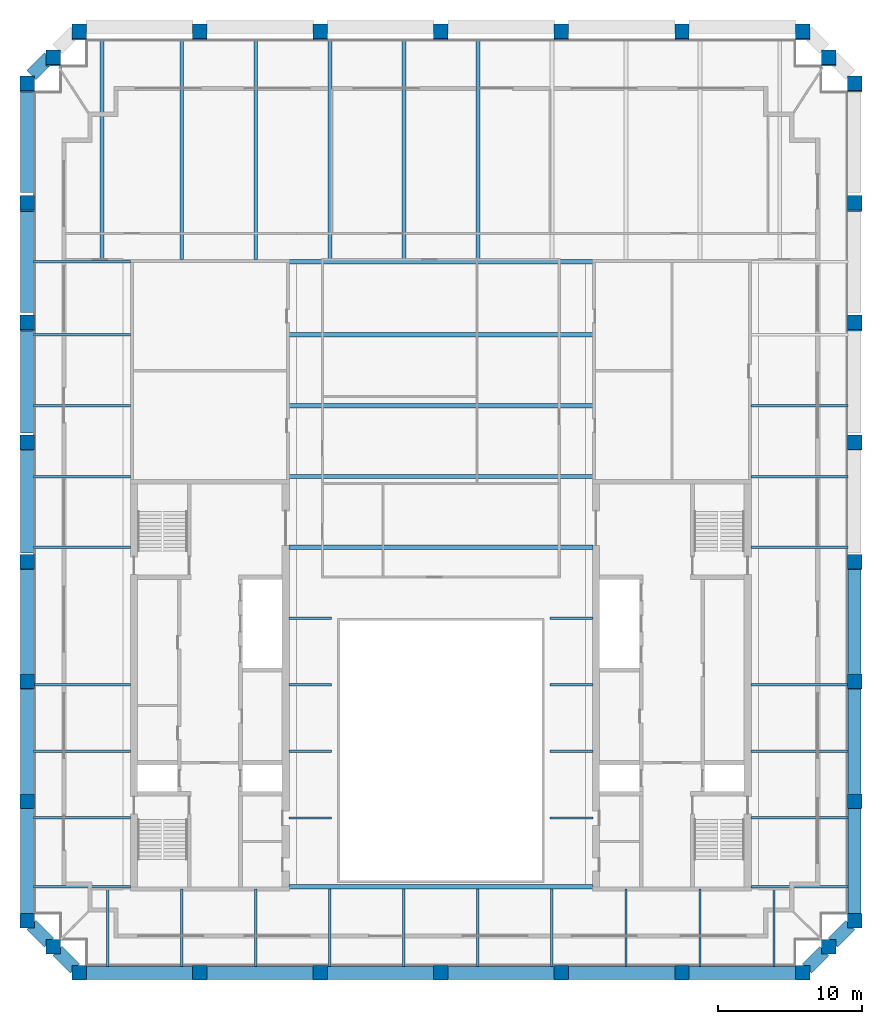
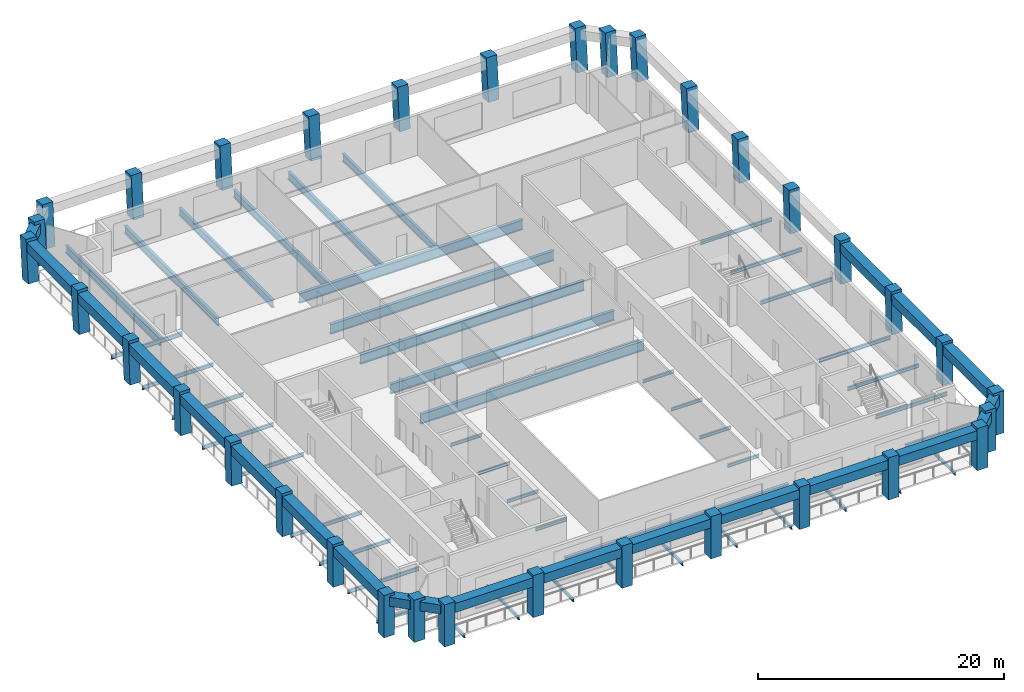
# One storey, part 1 of 8: 67 beams, 34 columns.
"""IFC4 building model written with IfcOpenShell, lengths in metres."""

from ifc_helpers import new_model, si_unit, direction, frame, origin, origin_2d, place, context, subcontext, project, spatial, rectangle, i_section, extrude, material, material_profile, profile_set, type_object, element, save


model = new_model("IFC4")

# Units and contexts
model_context = context("Model", 3, precision=1e-05, world=origin(), true_north=direction((0.0, 1.0)))
body_context = subcontext(model_context, "Body", "Model", "MODEL_VIEW")
ifc_project = project(units=[si_unit("LENGTHUNIT", "METRE"), si_unit("AREAUNIT", "SQUARE_METRE"), si_unit("VOLUMEUNIT", "CUBIC_METRE"), si_unit("PLANEANGLEUNIT", "RADIAN"), si_unit("MASSUNIT", "GRAM", prefix="KILO")], contexts=[model_context])

# Site, building, storey
site_placement = place(None, origin())
site = spatial("IfcSite", under=ifc_project, at=site_placement, CompositionType="ELEMENT")
building_placement = place(site_placement, origin())
building = spatial("IfcBuilding", under=site, at=building_placement, Name="Ogive Exchange Tower", CompositionType="ELEMENT")
storey_placement = place(building_placement, frame((0.0, 0.0, 317.39990234375)))
storey = spatial("IfcBuildingStorey", under=building, at=storey_placement, Name="L69", CompositionType="ELEMENT", Elevation=317.39990234375)

# Columns
ifc_material_1 = material(Name="Precast concrete C70/85 (limestone faced)", Category="masonry")
ifc_material_profile_1 = material_profile(ifc_material_1, rectangle(XDim=1.0, YDim=1.0, at=origin_2d()), Name="1000 x 1000")
ifc_profile_set_1 = profile_set([ifc_material_profile_1], Name="Precast concrete C70/85 (limestone faced)")
column_type = type_object("IfcColumnType", Name="Precast exoskeleton leg 1000 x 1000 C70/85", PredefinedType="COLUMN", material=ifc_profile_set_1)
for number, where, z_axis, x_axis, name in (
    (1, (-25.050048828125, -8.39990234375, 0.0), (0.0, 0.0, 1.0), (1.0, 0.0, 0.0), "Exoskeleton leg 1"),
    (2, (-16.699951171875, -8.39990234375, 0.0), (0.0, 0.0, 1.0), (1.0, 0.0, 0.0), "Exoskeleton leg 2"),
    (3, (-8.35009765625, -8.39990234375, 0.0), (0.0, 0.0, 1.0), (1.0, 0.0, 0.0), "Exoskeleton leg 3"),
    (4, (0.0, -8.39990234375, 0.0), (0.0, 0.0, 1.0), (1.0, 0.0, 0.0), "Exoskeleton leg 4"),
    (5, (8.35009765625, -8.39990234375, 0.0), (0.0, 0.0, 1.0), (1.0, 0.0, 0.0), "Exoskeleton leg 5"),
    (6, (16.699951171875, -8.39990234375, 0.0), (0.0, 0.0, 1.0), (1.0, 0.0, 0.0), "Exoskeleton leg 6"),
    (7, (25.050048828125, -8.39990234375, 0.0), (0.0, 0.0, 1.0), (1.0, 0.0, 0.0), "Exoskeleton leg 7"),
    (8, (28.64990234375, -4.800048828125, 0.0), (0.0, 0.0, 1.0), (1.0, 0.0, 0.0), "Exoskeleton leg 8"),
):
    element("IfcColumn", number, at=place(storey_placement, frame(where, z_axis=z_axis, x_axis=x_axis)), inside=storey, type_object=column_type, Name=name, PredefinedType="COLUMN", context=body_context, shape_type="SweptSolid", body=[
        extrude(rectangle(XDim=1.0, YDim=1.0, at=origin_2d()), origin(), (0.0, 0.0, 1.0), 4.2001953125),
    ])
column_1_placement = place(storey_placement, frame((28.64990234375, 3.47265625, 0.0), z_axis=(0.0, 0.013019124359, 0.999915247609), x_axis=(-1.0, 0.0, 0.0)))
element("IfcColumn", 9, at=column_1_placement, inside=storey, type_object=column_type, Name="Exoskeleton leg 9", PredefinedType="COLUMN", context=body_context, shape_type="SweptSolid", body=[
    extrude(rectangle(XDim=1.0, YDim=1.0, at=origin_2d()), origin(), (0.0, 0.0, 1.0), 4.200439453125),
])
column_2_placement = place(storey_placement, frame((28.64990234375, 11.74560546875, 0.0), z_axis=(0.0, 0.025915496696, 0.999664137114), x_axis=(-1.0, 0.0, 0.0)))
element("IfcColumn", 10, at=column_2_placement, inside=storey, type_object=column_type, Name="Exoskeleton leg 10", PredefinedType="COLUMN", context=body_context, shape_type="SweptSolid", body=[
    extrude(rectangle(XDim=1.0, YDim=1.0, at=origin_2d()), origin(), (0.0, 0.0, 1.0), 4.20166015625),
])
column_3_placement = place(storey_placement, frame((28.64990234375, 20.018310546875, 0.0), z_axis=(0.0, 0.038914932178, 0.999242527144), x_axis=(-1.0, 0.0, 0.0)))
element("IfcColumn", 11, at=column_3_placement, inside=storey, type_object=column_type, Name="Exoskeleton leg 11", PredefinedType="COLUMN", context=body_context, shape_type="SweptSolid", body=[
    extrude(rectangle(XDim=1.0, YDim=1.0, at=origin_2d()), origin(), (0.0, 0.0, 1.0), 4.203369140625),
])
column_4_placement = place(storey_placement, frame((28.64990234375, 28.291015625, 0.0), z_axis=(0.0, 0.051836748767, 0.998655571995), x_axis=(-1.0, 0.0, 0.0)))
element("IfcColumn", 12, at=column_4_placement, inside=storey, type_object=column_type, Name="Exoskeleton leg 12", PredefinedType="COLUMN", context=body_context, shape_type="SweptSolid", body=[
    extrude(rectangle(XDim=1.0, YDim=1.0, at=origin_2d()), origin(), (0.0, 0.0, 1.0), 4.205810546875),
])
column_5_placement = place(storey_placement, frame((28.64990234375, 36.563720703125, 0.0), z_axis=(0.0, 0.064790343495, 0.997898898381), x_axis=(-1.0, 0.0, 0.0)))
element("IfcColumn", 13, at=column_5_placement, inside=storey, type_object=column_type, Name="Exoskeleton leg 13", PredefinedType="COLUMN", context=body_context, shape_type="SweptSolid", body=[
    extrude(rectangle(XDim=1.0, YDim=1.0, at=origin_2d()), origin(), (0.0, 0.0, 1.0), 4.208984375),
])
column_6_placement = place(storey_placement, frame((28.64990234375, 44.83642578125, 0.0), z_axis=(0.0, 0.077653669439, 0.996980394804), x_axis=(-1.0, 0.0, 0.0)))
element("IfcColumn", 14, at=column_6_placement, inside=storey, type_object=column_type, Name="Exoskeleton leg 14", PredefinedType="COLUMN", context=body_context, shape_type="SweptSolid", body=[
    extrude(rectangle(XDim=1.0, YDim=1.0, at=origin_2d()), origin(), (0.0, 0.0, 1.0), 4.212890625),
])
for number, where, z_axis, x_axis, name in (
    (15, (28.64990234375, 53.109130859375, 0.0), (0.0, 0.090535746043, 0.995893206468), (-1.0, 0.0, 0.0), "Exoskeleton leg 15"),
    (16, (25.050048828125, 56.708984375, 0.0), (0.0, 0.090535746043, 0.995893206468), (-1.0, 0.0, 0.0), "Exoskeleton leg 16"),
    (17, (16.699951171875, 56.708984375, 0.0), (0.0, 0.090535746043, 0.995893206468), (-1.0, 0.0, 0.0), "Exoskeleton leg 17"),
    (18, (8.35009765625, 56.708984375, 0.0), (0.0, 0.090535746043, 0.995893206468), (-1.0, 0.0, 0.0), "Exoskeleton leg 18"),
    (19, (0.0, 56.708984375, 0.0), (0.0, 0.090535746043, 0.995893206468), (-1.0, 0.0, 0.0), "Exoskeleton leg 19"),
    (20, (-8.35009765625, 56.708984375, 0.0), (0.0, 0.090535746043, 0.995893206468), (-1.0, 0.0, 0.0), "Exoskeleton leg 20"),
    (21, (-16.699951171875, 56.708984375, 0.0), (0.0, 0.090535746043, 0.995893206468), (-1.0, 0.0, 0.0), "Exoskeleton leg 21"),
    (22, (-25.050048828125, 56.708984375, 0.0), (0.0, 0.090535746043, 0.995893206468), (-1.0, 0.0, 0.0), "Exoskeleton leg 22"),
    (23, (-28.64990234375, 53.109130859375, 0.0), (0.0, 0.090535746043, 0.995893206468), (-1.0, 0.0, 0.0), "Exoskeleton leg 23"),
):
    element("IfcColumn", number, at=place(storey_placement, frame(where, z_axis=z_axis, x_axis=x_axis)), inside=storey, type_object=column_type, Name=name, PredefinedType="COLUMN", context=body_context, shape_type="SweptSolid", body=[
        extrude(rectangle(XDim=1.0, YDim=1.0, at=origin_2d()), origin(), (0.0, 0.0, 1.0), 4.217529296875),
    ])
column_7_placement = place(storey_placement, frame((-28.64990234375, 44.83642578125, 0.0), z_axis=(0.0, 0.077653669439, 0.996980394804), x_axis=(-1.0, 0.0, 0.0)))
element("IfcColumn", 24, at=column_7_placement, inside=storey, type_object=column_type, Name="Exoskeleton leg 24", PredefinedType="COLUMN", context=body_context, shape_type="SweptSolid", body=[
    extrude(rectangle(XDim=1.0, YDim=1.0, at=origin_2d()), origin(), (0.0, 0.0, 1.0), 4.212890625),
])
column_8_placement = place(storey_placement, frame((-28.64990234375, 36.563720703125, 0.0), z_axis=(0.0, 0.064790343495, 0.997898898381), x_axis=(-1.0, 0.0, 0.0)))
element("IfcColumn", 25, at=column_8_placement, inside=storey, type_object=column_type, Name="Exoskeleton leg 25", PredefinedType="COLUMN", context=body_context, shape_type="SweptSolid", body=[
    extrude(rectangle(XDim=1.0, YDim=1.0, at=origin_2d()), origin(), (0.0, 0.0, 1.0), 4.208984375),
])
column_9_placement = place(storey_placement, frame((-28.64990234375, 28.291015625, 0.0), z_axis=(0.0, 0.051836748767, 0.998655571995), x_axis=(-1.0, 0.0, 0.0)))
element("IfcColumn", 26, at=column_9_placement, inside=storey, type_object=column_type, Name="Exoskeleton leg 26", PredefinedType="COLUMN", context=body_context, shape_type="SweptSolid", body=[
    extrude(rectangle(XDim=1.0, YDim=1.0, at=origin_2d()), origin(), (0.0, 0.0, 1.0), 4.205810546875),
])
column_10_placement = place(storey_placement, frame((-28.64990234375, 20.018310546875, 0.0), z_axis=(0.0, 0.038914932178, 0.999242527144), x_axis=(-1.0, 0.0, 0.0)))
element("IfcColumn", 27, at=column_10_placement, inside=storey, type_object=column_type, Name="Exoskeleton leg 27", PredefinedType="COLUMN", context=body_context, shape_type="SweptSolid", body=[
    extrude(rectangle(XDim=1.0, YDim=1.0, at=origin_2d()), origin(), (0.0, 0.0, 1.0), 4.203369140625),
])
column_11_placement = place(storey_placement, frame((-28.64990234375, 11.74560546875, 0.0), z_axis=(0.0, 0.025915496696, 0.999664137114), x_axis=(-1.0, 0.0, 0.0)))
element("IfcColumn", 28, at=column_11_placement, inside=storey, type_object=column_type, Name="Exoskeleton leg 28", PredefinedType="COLUMN", context=body_context, shape_type="SweptSolid", body=[
    extrude(rectangle(XDim=1.0, YDim=1.0, at=origin_2d()), origin(), (0.0, 0.0, 1.0), 4.20166015625),
])
column_12_placement = place(storey_placement, frame((-28.64990234375, 3.47265625, 0.0), z_axis=(0.0, 0.013019124359, 0.999915247609), x_axis=(-1.0, 0.0, 0.0)))
element("IfcColumn", 29, at=column_12_placement, inside=storey, type_object=column_type, Name="Exoskeleton leg 29", PredefinedType="COLUMN", context=body_context, shape_type="SweptSolid", body=[
    extrude(rectangle(XDim=1.0, YDim=1.0, at=origin_2d()), origin(), (0.0, 0.0, 1.0), 4.200439453125),
])
for number, where, z_axis, x_axis, name in (
    (30, (-28.64990234375, -4.800048828125, 0.0), (0.0, 0.0, 1.0), (1.0, 0.0, 0.0), "Exoskeleton leg 30"),
    (31, (26.85009765625, -6.60009765625, 0.0), (0.0, 0.0, 1.0), (1.0, 0.0, 0.0), "Exoskeleton leg 31"),
):
    element("IfcColumn", number, at=place(storey_placement, frame(where, z_axis=z_axis, x_axis=x_axis)), inside=storey, type_object=column_type, Name=name, PredefinedType="COLUMN", context=body_context, shape_type="SweptSolid", body=[
        extrude(rectangle(XDim=1.0, YDim=1.0, at=origin_2d()), origin(), (0.0, 0.0, 1.0), 4.2001953125),
    ])
for number, where, z_axis, x_axis, name in (
    (32, (26.85009765625, 54.9091796875, 0.0), (0.0, 0.090535746043, 0.995893206468), (-1.0, 0.0, 0.0), "Exoskeleton leg 32"),
    (33, (-26.85009765625, 54.9091796875, 0.0), (0.0, 0.090535746043, 0.995893206468), (-1.0, 0.0, 0.0), "Exoskeleton leg 33"),
):
    element("IfcColumn", number, at=place(storey_placement, frame(where, z_axis=z_axis, x_axis=x_axis)), inside=storey, type_object=column_type, Name=name, PredefinedType="COLUMN", context=body_context, shape_type="SweptSolid", body=[
        extrude(rectangle(XDim=1.0, YDim=1.0, at=origin_2d()), origin(), (0.0, 0.0, 1.0), 4.217529296875),
    ])
column_13_placement = place(storey_placement, frame((-26.85009765625, -6.60009765625, 0.0), z_axis=(0.0, 0.0, 1.0), x_axis=(1.0, 0.0, 0.0)))
element("IfcColumn", 34, at=column_13_placement, inside=storey, type_object=column_type, Name="Exoskeleton leg 34", PredefinedType="COLUMN", context=body_context, shape_type="SweptSolid", body=[
    extrude(rectangle(XDim=1.0, YDim=1.0, at=origin_2d()), origin(), (0.0, 0.0, 1.0), 4.2001953125),
])

# Beams
ifc_material_2 = material(Name="Steel ASTM A992 Gr50", Category="steel")
ifc_material_profile_2 = material_profile(ifc_material_2, i_section(OverallWidth=0.300048828125, OverallDepth=0.97998046875, WebThickness=0.0166015625, FlangeThickness=0.026123046875, at=origin_2d()), Name="W1000x249")
ifc_profile_set_2 = profile_set([ifc_material_profile_2], Name="Steel ASTM A992 Gr50")
beam_type_1 = type_object("IfcBeamType", Name="Floor beam W1000x249", PredefinedType="JOIST", material=ifc_profile_set_2)
for number, where, z_axis, x_axis, name in (
    (35, (-10.52001953125, 21.06201171875, -0.68994140625), (1.0, 0.0, 0.0), (0.0, 1.0, 0.0), "Floor beam"),
    (36, (-10.52001953125, 25.968994140625, -0.68994140625), (1.0, 0.0, 0.0), (0.0, 1.0, 0.0), "Floor beam"),
    (37, (-10.52001953125, 30.8759765625, -0.68994140625), (1.0, 0.0, 0.0), (0.0, 1.0, 0.0), "Floor beam"),
    (38, (-10.52001953125, 35.782958984375, -0.68994140625), (1.0, 0.0, 0.0), (0.0, 1.0, 0.0), "Floor beam"),
):
    element("IfcBeam", number, at=place(storey_placement, frame(where, z_axis=z_axis, x_axis=x_axis)), inside=storey, type_object=beam_type_1, Name=name, PredefinedType="JOIST", context=body_context, shape_type="SweptSolid", body=[
        extrude(i_section(OverallWidth=0.300048828125, OverallDepth=0.97998046875, WebThickness=0.0166015625, FlangeThickness=0.026123046875, at=origin_2d()), origin(), (0.0, 0.0, 1.0), 21.0400390625),
    ])
ifc_material_profile_3 = material_profile(ifc_material_2, i_section(OverallWidth=0.1650390625, OverallDepth=0.31005859375, WebThickness=0.005859375, FlangeThickness=0.009765625, at=origin_2d()), Name="W310x38.7")
ifc_profile_set_3 = profile_set([ifc_material_profile_3], Name="Steel ASTM A992 Gr50")
beam_type_2 = type_object("IfcBeamType", Name="Floor beam W310x38.7", PredefinedType="JOIST", material=ifc_profile_set_3)
for number, where, z_axis, x_axis, name in (
    (39, (-10.52001953125, 2.3212890625, -0.35498046875), (1.0, 0.0, 0.0), (0.0, 1.0, 0.0), "Floor beam"),
    (40, (7.570068359375, 2.3212890625, -0.35498046875), (1.0, 0.0, 0.0), (0.0, 1.0, 0.0), "Floor beam"),
    (41, (-10.52001953125, 6.9326171875, -0.35498046875), (1.0, 0.0, 0.0), (0.0, 1.0, 0.0), "Floor beam"),
    (42, (7.570068359375, 6.9326171875, -0.35498046875), (1.0, 0.0, 0.0), (0.0, 1.0, 0.0), "Floor beam"),
    (43, (-10.52001953125, 11.543701171875, -0.35498046875), (1.0, 0.0, 0.0), (0.0, 1.0, 0.0), "Floor beam"),
    (44, (7.570068359375, 11.543701171875, -0.35498046875), (1.0, 0.0, 0.0), (0.0, 1.0, 0.0), "Floor beam"),
):
    element("IfcBeam", number, at=place(storey_placement, frame(where, z_axis=z_axis, x_axis=x_axis)), inside=storey, type_object=beam_type_2, Name=name, PredefinedType="JOIST", context=body_context, shape_type="SweptSolid", body=[
        extrude(i_section(OverallWidth=0.1650390625, OverallDepth=0.31005859375, WebThickness=0.005859375, FlangeThickness=0.009765625, at=origin_2d()), origin(), (0.0, 0.0, 1.0), 2.949951171875),
    ])
beam_1_placement = place(storey_placement, frame((-23.07275390625, -7.949951171875, -0.35498046875), z_axis=(0.0, 1.0, 0.0), x_axis=(-1.0, 0.0, 0.0)))
element("IfcBeam", 45, at=beam_1_placement, inside=storey, type_object=beam_type_2, Name="Floor beam", PredefinedType="JOIST", context=body_context, shape_type="SweptSolid", body=[
    extrude(i_section(OverallWidth=0.1650390625, OverallDepth=0.31005859375, WebThickness=0.005859375, FlangeThickness=0.009765625, at=origin_2d()), origin(), (0.0, 0.0, 1.0), 5.416015625),
])
for number, where, z_axis, x_axis, name in (
    (46, (-17.945556640625, -7.949951171875, -0.35498046875), (0.0, 1.0, 0.0), (-1.0, 0.0, 0.0), "Floor beam"),
    (47, (-12.818115234375, -7.949951171875, -0.35498046875), (0.0, 1.0, 0.0), (-1.0, 0.0, 0.0), "Floor beam"),
):
    element("IfcBeam", number, at=place(storey_placement, frame(where, z_axis=z_axis, x_axis=x_axis)), inside=storey, type_object=beam_type_2, Name=name, PredefinedType="JOIST", context=body_context, shape_type="SweptSolid", body=[
        extrude(i_section(OverallWidth=0.1650390625, OverallDepth=0.31005859375, WebThickness=0.005859375, FlangeThickness=0.009765625, at=origin_2d()), origin(), (0.0, 0.0, 1.0), 5.349853515625),
    ])
for number, where, z_axis, x_axis, name in (
    (48, (-7.69091796875, -7.949951171875, -0.35498046875), (0.0, 1.0, 0.0), (-1.0, 0.0, 0.0), "Floor beam"),
    (49, (-2.563720703125, -7.949951171875, -0.35498046875), (0.0, 1.0, 0.0), (-1.0, 0.0, 0.0), "Floor beam"),
    (50, (2.563720703125, -7.949951171875, -0.35498046875), (0.0, 1.0, 0.0), (-1.0, 0.0, 0.0), "Floor beam"),
    (51, (7.69091796875, -7.949951171875, -0.35498046875), (0.0, 1.0, 0.0), (-1.0, 0.0, 0.0), "Floor beam"),
):
    element("IfcBeam", number, at=place(storey_placement, frame(where, z_axis=z_axis, x_axis=x_axis)), inside=storey, type_object=beam_type_2, Name=name, PredefinedType="JOIST", context=body_context, shape_type="SweptSolid", body=[
        extrude(i_section(OverallWidth=0.1650390625, OverallDepth=0.31005859375, WebThickness=0.005859375, FlangeThickness=0.009765625, at=origin_2d()), origin(), (0.0, 0.0, 1.0), 5.35498046875),
    ])
for number, where, z_axis, x_axis, name in (
    (52, (12.818115234375, -7.949951171875, -0.35498046875), (0.0, 1.0, 0.0), (-1.0, 0.0, 0.0), "Floor beam"),
    (53, (17.945556640625, -7.949951171875, -0.35498046875), (0.0, 1.0, 0.0), (-1.0, 0.0, 0.0), "Floor beam"),
):
    element("IfcBeam", number, at=place(storey_placement, frame(where, z_axis=z_axis, x_axis=x_axis)), inside=storey, type_object=beam_type_2, Name=name, PredefinedType="JOIST", context=body_context, shape_type="SweptSolid", body=[
        extrude(i_section(OverallWidth=0.1650390625, OverallDepth=0.31005859375, WebThickness=0.005859375, FlangeThickness=0.009765625, at=origin_2d()), origin(), (0.0, 0.0, 1.0), 5.349853515625),
    ])
beam_2_placement = place(storey_placement, frame((23.07275390625, -7.949951171875, -0.35498046875), z_axis=(0.0, 1.0, 0.0), x_axis=(-1.0, 0.0, 0.0)))
element("IfcBeam", 54, at=beam_2_placement, inside=storey, type_object=beam_type_2, Name="Floor beam", PredefinedType="JOIST", context=body_context, shape_type="SweptSolid", body=[
    extrude(i_section(OverallWidth=0.1650390625, OverallDepth=0.31005859375, WebThickness=0.005859375, FlangeThickness=0.009765625, at=origin_2d()), origin(), (0.0, 0.0, 1.0), 5.416015625),
])
ifc_material_profile_4 = material_profile(ifc_material_2, i_section(OverallWidth=0.1708984375, OverallDepth=0.35595703125, WebThickness=0.00732421875, FlangeThickness=0.01171875, at=origin_2d()), Name="W360x51")
ifc_profile_set_4 = profile_set([ifc_material_profile_4], Name="Steel ASTM A992 Gr50")
beam_type_3 = type_object("IfcBeamType", Name="Floor beam W360x51", PredefinedType="JOIST", material=ifc_profile_set_4)
for number, where, z_axis, x_axis, name in (
    (55, (-28.199951171875, 2.3212890625, -0.3779296875), (1.0, 0.0, 0.0), (0.0, 1.0, 0.0), "Floor beam"),
    (56, (21.47998046875, 2.3212890625, -0.3779296875), (1.0, 0.0, 0.0), (0.0, 1.0, 0.0), "Floor beam"),
    (57, (-28.199951171875, 6.9326171875, -0.3779296875), (1.0, 0.0, 0.0), (0.0, 1.0, 0.0), "Floor beam"),
    (58, (21.47998046875, 6.9326171875, -0.3779296875), (1.0, 0.0, 0.0), (0.0, 1.0, 0.0), "Floor beam"),
    (59, (-28.199951171875, 11.543701171875, -0.3779296875), (1.0, 0.0, 0.0), (0.0, 1.0, 0.0), "Floor beam"),
    (60, (21.47998046875, 11.543701171875, -0.3779296875), (1.0, 0.0, 0.0), (0.0, 1.0, 0.0), "Floor beam"),
    (61, (-28.199951171875, 21.06201171875, -0.3779296875), (1.0, 0.0, 0.0), (0.0, 1.0, 0.0), "Floor beam"),
    (62, (21.47998046875, 21.06201171875, -0.3779296875), (1.0, 0.0, 0.0), (0.0, 1.0, 0.0), "Floor beam"),
    (63, (-28.199951171875, 25.968994140625, -0.3779296875), (1.0, 0.0, 0.0), (0.0, 1.0, 0.0), "Floor beam"),
    (64, (21.47998046875, 25.968994140625, -0.3779296875), (1.0, 0.0, 0.0), (0.0, 1.0, 0.0), "Floor beam"),
    (65, (-28.199951171875, 30.8759765625, -0.3779296875), (1.0, 0.0, 0.0), (0.0, 1.0, 0.0), "Floor beam"),
    (66, (21.47998046875, 30.8759765625, -0.3779296875), (1.0, 0.0, 0.0), (0.0, 1.0, 0.0), "Floor beam"),
    (67, (-28.199951171875, 35.782958984375, -0.3779296875), (1.0, 0.0, 0.0), (0.0, 1.0, 0.0), "Floor beam"),
):
    element("IfcBeam", number, at=place(storey_placement, frame(where, z_axis=z_axis, x_axis=x_axis)), inside=storey, type_object=beam_type_3, Name=name, PredefinedType="JOIST", context=body_context, shape_type="SweptSolid", body=[
        extrude(i_section(OverallWidth=0.1708984375, OverallDepth=0.35595703125, WebThickness=0.00732421875, FlangeThickness=0.01171875, at=origin_2d()), origin(), (0.0, 0.0, 1.0), 6.719970703125),
    ])
ifc_material_profile_5 = material_profile(ifc_material_2, i_section(OverallWidth=0.26708984375, OverallDepth=0.75390625, WebThickness=0.01318359375, FlangeThickness=0.01708984375, at=origin_2d()), Name="W760x147")
ifc_profile_set_5 = profile_set([ifc_material_profile_5], Name="Steel ASTM A992 Gr50")
beam_type_4 = type_object("IfcBeamType", Name="Floor beam W760x147", PredefinedType="JOIST", material=ifc_profile_set_5)
beam_3_placement = place(storey_placement, frame((-23.47265625, 40.93408203125, -0.576904296875), z_axis=(0.0, 1.0, 0.0), x_axis=(-1.0, 0.0, 0.0)))
element("IfcBeam", 68, at=beam_3_placement, inside=storey, type_object=beam_type_4, Name="Floor beam", PredefinedType="JOIST", context=body_context, shape_type="SweptSolid", body=[
    extrude(i_section(OverallWidth=0.26708984375, OverallDepth=0.75390625, WebThickness=0.01318359375, FlangeThickness=0.01708984375, at=origin_2d()), origin(), (0.0, 0.0, 1.0), 15.324951171875),
])
for number, where, z_axis, x_axis, name in (
    (69, (-17.945556640625, 41.0, -0.576904296875), (0.0, 1.0, 0.0), (-1.0, 0.0, 0.0), "Floor beam"),
    (70, (-12.818115234375, 41.0, -0.576904296875), (0.0, 1.0, 0.0), (-1.0, 0.0, 0.0), "Floor beam"),
):
    element("IfcBeam", number, at=place(storey_placement, frame(where, z_axis=z_axis, x_axis=x_axis)), inside=storey, type_object=beam_type_4, Name=name, PredefinedType="JOIST", context=body_context, shape_type="SweptSolid", body=[
        extrude(i_section(OverallWidth=0.26708984375, OverallDepth=0.75390625, WebThickness=0.01318359375, FlangeThickness=0.01708984375, at=origin_2d()), origin(), (0.0, 0.0, 1.0), 15.259033203125),
    ])
for number, where, z_axis, x_axis, name in (
    (71, (-7.69091796875, 40.9951171875, -0.576904296875), (0.0, 1.0, 0.0), (-1.0, 0.0, 0.0), "Floor beam"),
    (72, (-2.563720703125, 40.9951171875, -0.576904296875), (0.0, 1.0, 0.0), (-1.0, 0.0, 0.0), "Floor beam"),
    (73, (2.563720703125, 40.9951171875, -0.576904296875), (0.0, 1.0, 0.0), (-1.0, 0.0, 0.0), "Floor beam"),
):
    element("IfcBeam", number, at=place(storey_placement, frame(where, z_axis=z_axis, x_axis=x_axis)), inside=storey, type_object=beam_type_4, Name=name, PredefinedType="JOIST", context=body_context, shape_type="SweptSolid", body=[
        extrude(i_section(OverallWidth=0.26708984375, OverallDepth=0.75390625, WebThickness=0.01318359375, FlangeThickness=0.01708984375, at=origin_2d()), origin(), (0.0, 0.0, 1.0), 15.263916015625),
    ])
ifc_material_profile_6 = material_profile(ifc_material_2, i_section(OverallWidth=0.300048828125, OverallDepth=0.97998046875, WebThickness=0.0166015625, FlangeThickness=0.026123046875, at=origin_2d()), Name="W1000x249")
ifc_profile_set_6 = profile_set([ifc_material_profile_6], Name="Steel ASTM A992 Gr50")
beam_type_5 = type_object("IfcBeamType", Name="Girder W1000x249", PredefinedType="BEAM", material=ifc_profile_set_6)
for number, where, z_axis, x_axis, name in (
    (74, (-10.52001953125, -2.445068359375, -0.68994140625), (1.0, 0.0, 0.0), (0.0, 1.0, 0.0), "Header girder"),
    (75, (-10.52001953125, 40.844970703125, -0.68994140625), (1.0, 0.0, 0.0), (0.0, 1.0, 0.0), "Header girder"),
):
    element("IfcBeam", number, at=place(storey_placement, frame(where, z_axis=z_axis, x_axis=x_axis)), inside=storey, type_object=beam_type_5, Name=name, PredefinedType="BEAM", context=body_context, shape_type="SweptSolid", body=[
        extrude(i_section(OverallWidth=0.300048828125, OverallDepth=0.97998046875, WebThickness=0.0166015625, FlangeThickness=0.026123046875, at=origin_2d()), origin(), (0.0, 0.0, 1.0), 21.0400390625),
    ])
ifc_material_profile_7 = material_profile(ifc_material_2, i_section(OverallWidth=0.1650390625, OverallDepth=0.31005859375, WebThickness=0.005859375, FlangeThickness=0.009765625, at=origin_2d()), Name="W310x38.7")
ifc_profile_set_7 = profile_set([ifc_material_profile_7], Name="Steel ASTM A992 Gr50")
beam_type_6 = type_object("IfcBeamType", Name="Girder W310x38.7", PredefinedType="BEAM", material=ifc_profile_set_7)
for number, where, z_axis, x_axis, name in (
    (76, (-10.52001953125, 16.155029296875, -0.35498046875), (1.0, 0.0, 0.0), (0.0, 1.0, 0.0), "Trimmer girder"),
    (77, (7.570068359375, 16.155029296875, -0.35498046875), (1.0, 0.0, 0.0), (0.0, 1.0, 0.0), "Trimmer girder"),
):
    element("IfcBeam", number, at=place(storey_placement, frame(where, z_axis=z_axis, x_axis=x_axis)), inside=storey, type_object=beam_type_6, Name=name, PredefinedType="BEAM", context=body_context, shape_type="SweptSolid", body=[
        extrude(i_section(OverallWidth=0.1650390625, OverallDepth=0.31005859375, WebThickness=0.005859375, FlangeThickness=0.009765625, at=origin_2d()), origin(), (0.0, 0.0, 1.0), 2.949951171875),
    ])
ifc_material_profile_8 = material_profile(ifc_material_2, i_section(OverallWidth=0.177978515625, OverallDepth=0.406005859375, WebThickness=0.0078125, FlangeThickness=0.0126953125, at=origin_2d()), Name="W410x60")
ifc_profile_set_8 = profile_set([ifc_material_profile_8], Name="Steel ASTM A992 Gr50")
beam_type_7 = type_object("IfcBeamType", Name="Girder W410x60", PredefinedType="BEAM", material=ifc_profile_set_8)
for number, where, z_axis, x_axis, name in (
    (78, (-28.199951171875, -2.445068359375, -0.40283203125), (1.0, 0.0, 0.0), (0.0, 1.0, 0.0), "Header girder"),
    (79, (21.47998046875, -2.445068359375, -0.40283203125), (1.0, 0.0, 0.0), (0.0, 1.0, 0.0), "Header girder"),
    (80, (-28.199951171875, 40.844970703125, -0.40283203125), (1.0, 0.0, 0.0), (0.0, 1.0, 0.0), "Header girder"),
):
    element("IfcBeam", number, at=place(storey_placement, frame(where, z_axis=z_axis, x_axis=x_axis)), inside=storey, type_object=beam_type_7, Name=name, PredefinedType="BEAM", context=body_context, shape_type="SweptSolid", body=[
        extrude(i_section(OverallWidth=0.177978515625, OverallDepth=0.406005859375, WebThickness=0.0078125, FlangeThickness=0.0126953125, at=origin_2d()), origin(), (0.0, 0.0, 1.0), 6.719970703125),
    ])
ifc_material_profile_9 = material_profile(ifc_material_1, rectangle(XDim=0.89990234375, YDim=0.89990234375, at=origin_2d()), Name="900 x 900")
ifc_profile_set_9 = profile_set([ifc_material_profile_9], Name="Precast concrete C70/85 (limestone faced)")
beam_type_8 = type_object("IfcBeamType", Name="Precast spandrel 900 x 900 C70/85", PredefinedType="SPANDREL", material=ifc_profile_set_9)
beam_4_placement = place(storey_placement, frame((-24.570068359375, -8.39990234375, 3.5), z_axis=(1.0, 0.0, 0.0), x_axis=(0.0, 1.0, 0.0)))
element("IfcBeam", 81, at=beam_4_placement, inside=storey, type_object=beam_type_8, Name="Spandrel 1", PredefinedType="SPANDREL", context=body_context, shape_type="SweptSolid", body=[
    extrude(rectangle(XDim=0.89990234375, YDim=0.89990234375, at=origin_2d()), origin(), (0.0, 0.0, 1.0), 7.39013671875),
])
beam_5_placement = place(storey_placement, frame((-16.219970703125, -8.39990234375, 3.5), z_axis=(1.0, 0.0, 0.0), x_axis=(0.0, 1.0, 0.0)))
element("IfcBeam", 82, at=beam_5_placement, inside=storey, type_object=beam_type_8, Name="Spandrel 2", PredefinedType="SPANDREL", context=body_context, shape_type="SweptSolid", body=[
    extrude(rectangle(XDim=0.89990234375, YDim=0.89990234375, at=origin_2d()), origin(), (0.0, 0.0, 1.0), 7.389892578125),
])
for number, where, z_axis, x_axis, name in (
    (83, (-7.8701171875, -8.39990234375, 3.5), (1.0, 0.0, 0.0), (0.0, 1.0, 0.0), "Spandrel 3"),
    (84, (0.47998046875, -8.39990234375, 3.5), (1.0, 0.0, 0.0), (0.0, 1.0, 0.0), "Spandrel 4"),
):
    element("IfcBeam", number, at=place(storey_placement, frame(where, z_axis=z_axis, x_axis=x_axis)), inside=storey, type_object=beam_type_8, Name=name, PredefinedType="SPANDREL", context=body_context, shape_type="SweptSolid", body=[
        extrude(rectangle(XDim=0.89990234375, YDim=0.89990234375, at=origin_2d()), origin(), (0.0, 0.0, 1.0), 7.39013671875),
    ])
beam_6_placement = place(storey_placement, frame((8.830078125, -8.39990234375, 3.5), z_axis=(1.0, 0.0, 0.0), x_axis=(0.0, 1.0, 0.0)))
element("IfcBeam", 85, at=beam_6_placement, inside=storey, type_object=beam_type_8, Name="Spandrel 5", PredefinedType="SPANDREL", context=body_context, shape_type="SweptSolid", body=[
    extrude(rectangle(XDim=0.89990234375, YDim=0.89990234375, at=origin_2d()), origin(), (0.0, 0.0, 1.0), 7.389892578125),
])
beam_7_placement = place(storey_placement, frame((17.179931640625, -8.39990234375, 3.5), z_axis=(1.0, 0.0, 0.0), x_axis=(0.0, 1.0, 0.0)))
element("IfcBeam", 86, at=beam_7_placement, inside=storey, type_object=beam_type_8, Name="Spandrel 6", PredefinedType="SPANDREL", context=body_context, shape_type="SweptSolid", body=[
    extrude(rectangle(XDim=0.89990234375, YDim=0.89990234375, at=origin_2d()), origin(), (0.0, 0.0, 1.0), 7.39013671875),
])
for number, where, z_axis, x_axis, name in (
    (87, (25.337890625, -8.112060546875, 3.5), (0.707106781187, 0.707106781187, 0.0), (-0.707106781187, 0.707106781187, 0.0), "Spandrel 7"),
    (88, (27.137939453125, -6.31201171875, 3.5), (0.707106781187, 0.707106781187, 0.0), (-0.707106781187, 0.707106781187, 0.0), "Spandrel 8"),
):
    element("IfcBeam", number, at=place(storey_placement, frame(where, z_axis=z_axis, x_axis=x_axis)), inside=storey, type_object=beam_type_8, Name=name, PredefinedType="SPANDREL", context=body_context, shape_type="SweptSolid", body=[
        extrude(rectangle(XDim=0.89990234375, YDim=0.89990234375, at=origin_2d()), origin(), (0.0, 0.0, 1.0), 1.731201171875),
    ])
beam_8_placement = place(storey_placement, frame((28.64990234375, -4.320068359375, 3.5), z_axis=(0.0, 1.0, 0.0), x_axis=(-1.0, 0.0, 0.0)))
element("IfcBeam", 89, at=beam_8_placement, inside=storey, type_object=beam_type_8, Name="Spandrel 9", PredefinedType="SPANDREL", context=body_context, shape_type="SweptSolid", body=[
    extrude(rectangle(XDim=0.89990234375, YDim=0.89990234375, at=origin_2d()), origin(), (0.0, 0.0, 1.0), 7.367431640625),
])
beam_9_placement = place(storey_placement, frame((28.64990234375, 4.00732421875, 3.5), z_axis=(0.0, 1.0, 0.0), x_axis=(-1.0, 0.0, 0.0)))
element("IfcBeam", 90, at=beam_9_placement, inside=storey, type_object=beam_type_8, Name="Spandrel 10", PredefinedType="SPANDREL", context=body_context, shape_type="SweptSolid", body=[
    extrude(rectangle(XDim=0.89990234375, YDim=0.89990234375, at=origin_2d()), origin(), (0.0, 0.0, 1.0), 7.3671875),
])
beam_10_placement = place(storey_placement, frame((28.64990234375, 12.33447265625, 3.5), z_axis=(0.0, 1.0, 0.0), x_axis=(-1.0, 0.0, 0.0)))
element("IfcBeam", 91, at=beam_10_placement, inside=storey, type_object=beam_type_8, Name="Spandrel 11", PredefinedType="SPANDREL", context=body_context, shape_type="SweptSolid", body=[
    extrude(rectangle(XDim=0.89990234375, YDim=0.89990234375, at=origin_2d()), origin(), (0.0, 0.0, 1.0), 7.367431640625),
])
beam_11_placement = place(storey_placement, frame((-27.137939453125, 55.0029296875, 3.5), z_axis=(-0.707106781187, -0.707106781187, 0.0), x_axis=(0.707106781187, -0.707106781187, 0.0)))
element("IfcBeam", 92, at=beam_11_placement, inside=storey, type_object=beam_type_8, Name="Spandrel 25", PredefinedType="SPANDREL", context=body_context, shape_type="SweptSolid", body=[
    extrude(rectangle(XDim=0.89990234375, YDim=0.89990234375, at=origin_2d()), origin(), (0.0, 0.0, 1.0), 1.731201171875),
])
beam_12_placement = place(storey_placement, frame((-28.64990234375, 53.010986328125, 3.5), z_axis=(0.0, -1.0, 0.0), x_axis=(1.0, 0.0, 0.0)))
element("IfcBeam", 93, at=beam_12_placement, inside=storey, type_object=beam_type_8, Name="Spandrel 26", PredefinedType="SPANDREL", context=body_context, shape_type="SweptSolid", body=[
    extrude(rectangle(XDim=0.89990234375, YDim=0.89990234375, at=origin_2d()), origin(), (0.0, 0.0, 1.0), 7.367431640625),
])
beam_13_placement = place(storey_placement, frame((-28.64990234375, 44.68359375, 3.5), z_axis=(0.0, -1.0, 0.0), x_axis=(1.0, 0.0, 0.0)))
element("IfcBeam", 94, at=beam_13_placement, inside=storey, type_object=beam_type_8, Name="Spandrel 27", PredefinedType="SPANDREL", context=body_context, shape_type="SweptSolid", body=[
    extrude(rectangle(XDim=0.89990234375, YDim=0.89990234375, at=origin_2d()), origin(), (0.0, 0.0, 1.0), 7.3671875),
])
beam_14_placement = place(storey_placement, frame((-28.64990234375, 36.3564453125, 3.5), z_axis=(0.0, -1.0, 0.0), x_axis=(1.0, 0.0, 0.0)))
element("IfcBeam", 95, at=beam_14_placement, inside=storey, type_object=beam_type_8, Name="Spandrel 28", PredefinedType="SPANDREL", context=body_context, shape_type="SweptSolid", body=[
    extrude(rectangle(XDim=0.89990234375, YDim=0.89990234375, at=origin_2d()), origin(), (0.0, 0.0, 1.0), 7.367431640625),
])
beam_15_placement = place(storey_placement, frame((-28.64990234375, 28.029052734375, 3.5), z_axis=(0.0, -1.0, 0.0), x_axis=(1.0, 0.0, 0.0)))
element("IfcBeam", 96, at=beam_15_placement, inside=storey, type_object=beam_type_8, Name="Spandrel 29", PredefinedType="SPANDREL", context=body_context, shape_type="SweptSolid", body=[
    extrude(rectangle(XDim=0.89990234375, YDim=0.89990234375, at=origin_2d()), origin(), (0.0, 0.0, 1.0), 7.3671875),
])
beam_16_placement = place(storey_placement, frame((-28.64990234375, 19.701904296875, 3.5), z_axis=(0.0, -1.0, 0.0), x_axis=(1.0, 0.0, 0.0)))
element("IfcBeam", 97, at=beam_16_placement, inside=storey, type_object=beam_type_8, Name="Spandrel 30", PredefinedType="SPANDREL", context=body_context, shape_type="SweptSolid", body=[
    extrude(rectangle(XDim=0.89990234375, YDim=0.89990234375, at=origin_2d()), origin(), (0.0, 0.0, 1.0), 7.367431640625),
])
beam_17_placement = place(storey_placement, frame((-28.64990234375, 11.37451171875, 3.5), z_axis=(0.0, -1.0, 0.0), x_axis=(1.0, 0.0, 0.0)))
element("IfcBeam", 98, at=beam_17_placement, inside=storey, type_object=beam_type_8, Name="Spandrel 31", PredefinedType="SPANDREL", context=body_context, shape_type="SweptSolid", body=[
    extrude(rectangle(XDim=0.89990234375, YDim=0.89990234375, at=origin_2d()), origin(), (0.0, 0.0, 1.0), 7.3671875),
])
beam_18_placement = place(storey_placement, frame((-28.64990234375, 3.04736328125, 3.5), z_axis=(0.0, -1.0, 0.0), x_axis=(1.0, 0.0, 0.0)))
element("IfcBeam", 99, at=beam_18_placement, inside=storey, type_object=beam_type_8, Name="Spandrel 32", PredefinedType="SPANDREL", context=body_context, shape_type="SweptSolid", body=[
    extrude(rectangle(XDim=0.89990234375, YDim=0.89990234375, at=origin_2d()), origin(), (0.0, 0.0, 1.0), 7.367431640625),
])
for number, where, z_axis, x_axis, name in (
    (100, (-28.362060546875, -5.087890625, 3.5), (0.707106781187, -0.707106781187, 0.0), (0.707106781187, 0.707106781187, 0.0), "Spandrel 33"),
    (101, (-26.56201171875, -6.887939453125, 3.5), (0.707106781187, -0.707106781187, 0.0), (0.707106781187, 0.707106781187, 0.0), "Spandrel 34"),
):
    element("IfcBeam", number, at=place(storey_placement, frame(where, z_axis=z_axis, x_axis=x_axis)), inside=storey, type_object=beam_type_8, Name=name, PredefinedType="SPANDREL", context=body_context, shape_type="SweptSolid", body=[
        extrude(rectangle(XDim=0.89990234375, YDim=0.89990234375, at=origin_2d()), origin(), (0.0, 0.0, 1.0), 1.731201171875),
    ])

save(model, "model.ifc")
